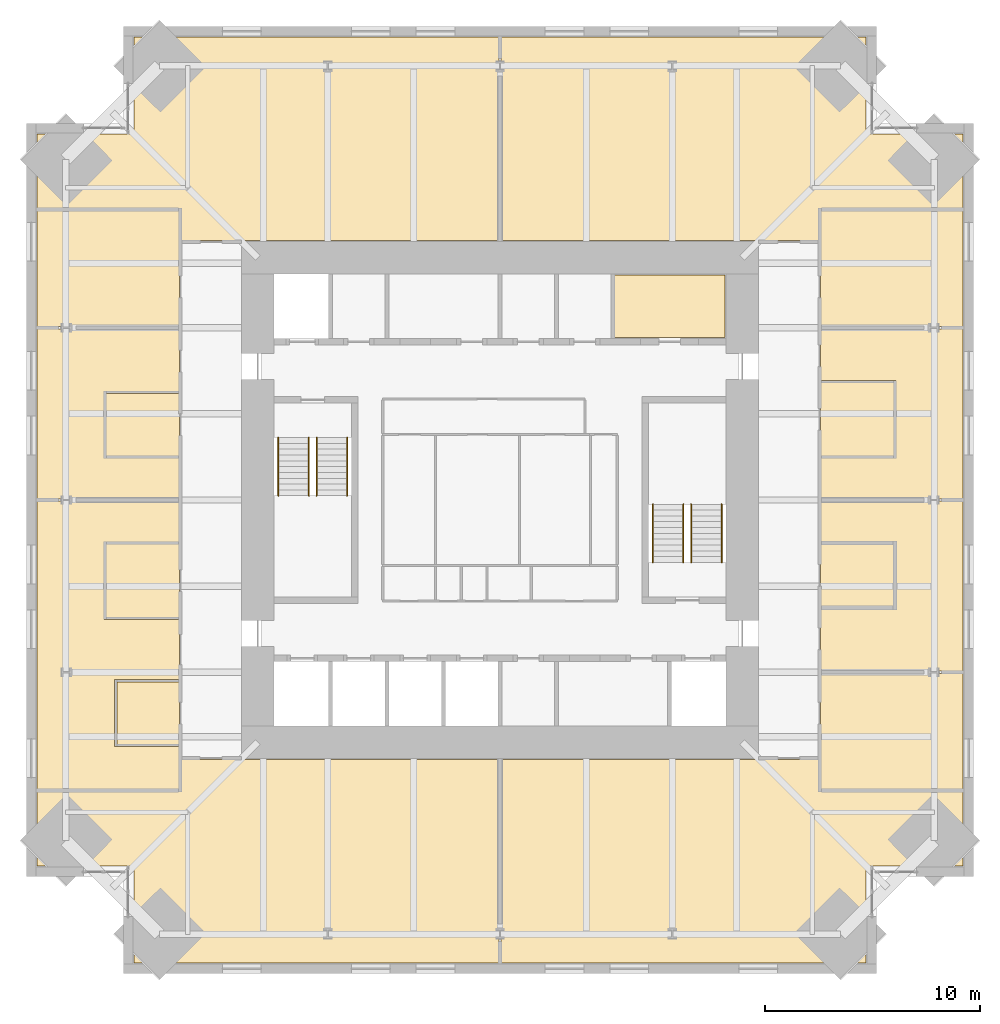
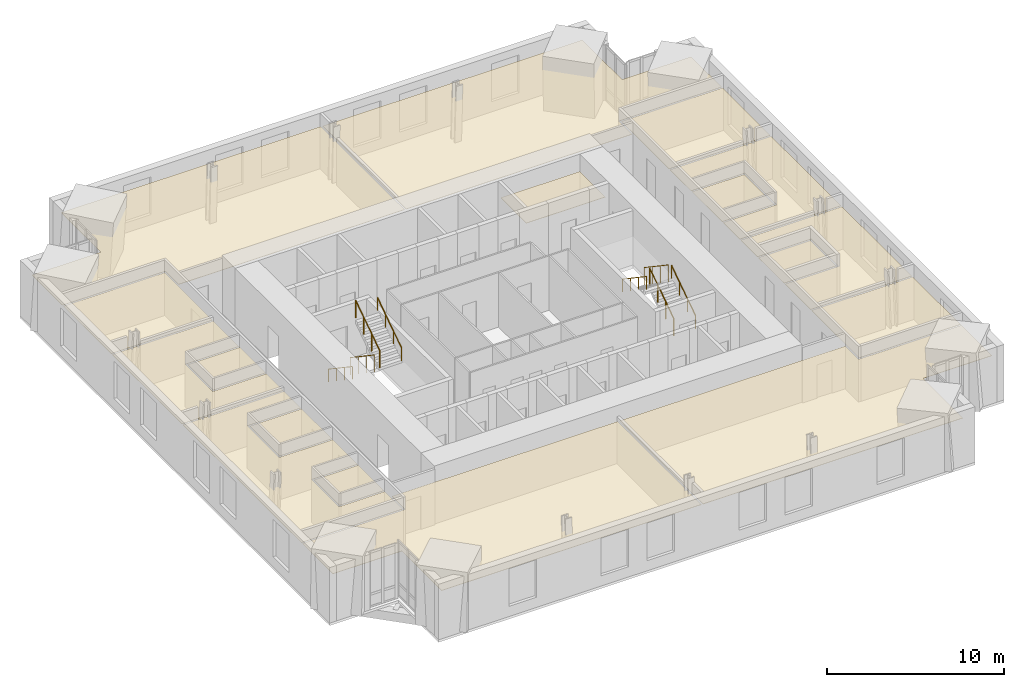
# One storey, part 16 of 16: 17 coverings, 8 railings.
"""IFC4 building model written with IfcOpenShell, lengths in metres."""

from ifc_helpers import new_model, si_unit, direction, frame, origin, origin_2d, place, context, subcontext, project, spatial, polyline, circle, outline, extrude, material, layer, layer_set, type_object, element, save


model = new_model("IFC4")

# Units and contexts
model_context = context("Model", 3, precision=1e-05, world=origin(), true_north=direction((0.0, 1.0)))
body_context = subcontext(model_context, "Body", "Model", "MODEL_VIEW")
ifc_project = project(units=[si_unit("LENGTHUNIT", "METRE"), si_unit("AREAUNIT", "SQUARE_METRE"), si_unit("VOLUMEUNIT", "CUBIC_METRE"), si_unit("PLANEANGLEUNIT", "RADIAN"), si_unit("MASSUNIT", "GRAM", prefix="KILO")], contexts=[model_context])

# Site, building, storey
site_placement = place(None, origin())
site = spatial("IfcSite", under=ifc_project, at=site_placement, CompositionType="ELEMENT")
building_placement = place(site_placement, origin())
building = spatial("IfcBuilding", under=site, at=building_placement, Name="Peilmerk Tower", CompositionType="ELEMENT")
storey_placement = place(building_placement, frame((0.0, 0.0, 265.800048828125)))
storey = spatial("IfcBuildingStorey", under=building, at=storey_placement, Name="L59", CompositionType="ELEMENT", Elevation=265.800048828125)

# Coverings
ifc_material_1 = material(Name="Mineral fibre ceiling tiles", Category="mineral")
ifc_layer = layer(ifc_material_1, 0.02490234375)
ifc_layer_set = layer_set([ifc_layer], Name="Mineral fibre ceiling tiles")
covering_type = type_object("IfcCoveringType", Name="CL1 25 suspended ceiling", PredefinedType="CEILING", material=ifc_layer_set)
covering_1_placement = place(storey_placement, frame((0.0, 0.0, 2.905029296875)))
element("IfcCovering", 1, at=covering_1_placement, inside=storey, type_object=covering_type, Name="Suspended ceiling Office", PredefinedType="CEILING", context=body_context, shape_type="SweptSolid", body=[
    extrude(outline(polyline([(-21.5, 17.0), (-21.5, 13.550048828125), (-14.800048828125, 13.550048828125), (-14.800048828125, 12.050048828125), (-0.050048828125, 12.050048828125), (-0.050048828125, 21.5), (-17.0, 21.5), (-17.0, 17.0), (-21.5, 17.0)])), origin(), (0.0, 0.0, 1.0), 0.02490234375),
])
covering_2_placement = place(storey_placement, frame((0.0, 0.0, 2.905029296875)))
element("IfcCovering", 2, at=covering_2_placement, inside=storey, type_object=covering_type, Name="Suspended ceiling Office", PredefinedType="CEILING", context=body_context, shape_type="SweptSolid", body=[
    extrude(outline(polyline([(17.0, 21.5), (0.050048828125, 21.5), (0.050048828125, 12.050048828125), (14.800048828125, 12.050048828125), (14.800048828125, 13.550048828125), (21.5, 13.550048828125), (21.5, 17.0), (17.0, 17.0), (17.0, 21.5)])), origin(), (0.0, 0.0, 1.0), 0.02490234375),
])
covering_3_placement = place(storey_placement, frame((0.0, 0.0, 2.905029296875)))
element("IfcCovering", 3, at=covering_3_placement, inside=storey, type_object=covering_type, Name="Suspended ceiling Office", PredefinedType="CEILING", context=body_context, shape_type="SweptSolid", body=[
    extrude(outline(polyline([(-17.0, -21.5), (-0.050048828125, -21.5), (-0.050048828125, -12.050048828125), (-14.800048828125, -12.050048828125), (-14.800048828125, -13.550048828125), (-21.5, -13.550048828125), (-21.5, -17.0), (-17.0, -17.0), (-17.0, -21.5)])), origin(), (0.0, 0.0, 1.0), 0.02490234375),
])
covering_4_placement = place(storey_placement, frame((0.0, 0.0, 2.905029296875)))
element("IfcCovering", 4, at=covering_4_placement, inside=storey, type_object=covering_type, Name="Suspended ceiling Office", PredefinedType="CEILING", context=body_context, shape_type="SweptSolid", body=[
    extrude(outline(polyline([(0.050048828125, -21.5), (17.0, -21.5), (17.0, -17.0), (21.5, -17.0), (21.5, -13.550048828125), (14.800048828125, -13.550048828125), (14.800048828125, -12.050048828125), (0.050048828125, -12.050048828125), (0.050048828125, -21.5)])), origin(), (0.0, 0.0, 1.0), 0.02490234375),
])
covering_5_placement = place(storey_placement, frame((0.0, 0.0, 2.905029296875)))
element("IfcCovering", 5, at=covering_5_placement, inside=storey, type_object=covering_type, Name="Suspended ceiling Office", PredefinedType="CEILING", context=body_context, shape_type="SweptSolid", body=[
    extrude(outline(polyline([(21.5, -13.449951171875), (21.5, -8.050048828125), (14.89990234375, -8.050048828125), (14.89990234375, -13.449951171875), (21.5, -13.449951171875)])), origin(), (0.0, 0.0, 1.0), 0.02490234375),
])
covering_6_placement = place(storey_placement, frame((0.0, 0.0, 2.905029296875)))
element("IfcCovering", 6, at=covering_6_placement, inside=storey, type_object=covering_type, Name="Suspended ceiling Office", PredefinedType="CEILING", context=body_context, shape_type="SweptSolid", body=[
    extrude(outline(polyline([(14.89990234375, -7.949951171875), (21.5, -7.949951171875), (21.5, -0.050048828125), (14.89990234375, -0.050048828125), (14.89990234375, -1.949951171875), (18.39990234375, -1.949951171875), (18.39990234375, -5.050048828125), (14.89990234375, -5.050048828125), (14.89990234375, -7.949951171875)])), origin(), (0.0, 0.0, 1.0), 0.02490234375),
])
covering_7_placement = place(storey_placement, frame((0.0, 0.0, 2.905029296875)))
element("IfcCovering", 7, at=covering_7_placement, inside=storey, type_object=covering_type, Name="Suspended ceiling Office", PredefinedType="CEILING", context=body_context, shape_type="SweptSolid", body=[
    extrude(outline(polyline([(14.89990234375, 0.050048828125), (21.5, 0.050048828125), (21.5, 7.949951171875), (14.89990234375, 7.949951171875), (14.89990234375, 5.550048828125), (18.39990234375, 5.550048828125), (18.39990234375, 1.949951171875), (14.89990234375, 1.949951171875), (14.89990234375, 0.050048828125)])), origin(), (0.0, 0.0, 1.0), 0.02490234375),
])
covering_8_placement = place(storey_placement, frame((0.0, 0.0, 2.905029296875)))
element("IfcCovering", 8, at=covering_8_placement, inside=storey, type_object=covering_type, Name="Suspended ceiling Office", PredefinedType="CEILING", context=body_context, shape_type="SweptSolid", body=[
    extrude(outline(polyline([(21.5, 8.050048828125), (21.5, 13.449951171875), (14.89990234375, 13.449951171875), (14.89990234375, 8.050048828125), (21.5, 8.050048828125)])), origin(), (0.0, 0.0, 1.0), 0.02490234375),
])
covering_9_placement = place(storey_placement, frame((0.0, 0.0, 2.905029296875)))
element("IfcCovering", 9, at=covering_9_placement, inside=storey, type_object=covering_type, Name="Suspended ceiling Meeting room", PredefinedType="CEILING", context=body_context, shape_type="SweptSolid", body=[
    extrude(outline(polyline([(18.300048828125, 2.050048828125), (18.300048828125, 5.449951171875), (14.89990234375, 5.449951171875), (14.89990234375, 2.050048828125), (18.300048828125, 2.050048828125)])), origin(), (0.0, 0.0, 1.0), 0.02490234375),
])
covering_10_placement = place(storey_placement, frame((0.0, 0.0, 2.905029296875)))
element("IfcCovering", 10, at=covering_10_placement, inside=storey, type_object=covering_type, Name="Suspended ceiling Wellness room", PredefinedType="CEILING", context=body_context, shape_type="SweptSolid", body=[
    extrude(outline(polyline([(18.300048828125, -4.949951171875), (18.300048828125, -2.050048828125), (14.89990234375, -2.050048828125), (14.89990234375, -4.949951171875), (18.300048828125, -4.949951171875)])), origin(), (0.0, 0.0, 1.0), 0.02490234375),
])
covering_11_placement = place(storey_placement, frame((0.0, 0.0, 2.905029296875)))
element("IfcCovering", 11, at=covering_11_placement, inside=storey, type_object=covering_type, Name="Suspended ceiling Library", PredefinedType="CEILING", context=body_context, shape_type="SweptSolid", body=[
    extrude(outline(polyline([(-14.89990234375, -0.050048828125), (-21.5, -0.050048828125), (-21.5, -13.449951171875), (-14.89990234375, -13.449951171875), (-14.89990234375, -11.449951171875), (-17.89990234375, -11.449951171875), (-17.89990234375, -8.35009765625), (-14.89990234375, -8.35009765625), (-14.89990234375, -5.550048828125), (-18.39990234375, -5.550048828125), (-18.39990234375, -1.949951171875), (-14.89990234375, -1.949951171875), (-14.89990234375, -0.050048828125)])), origin(), (0.0, 0.0, 1.0), 0.02490234375),
])
covering_12_placement = place(storey_placement, frame((0.0, 0.0, 2.905029296875)))
element("IfcCovering", 12, at=covering_12_placement, inside=storey, type_object=covering_type, Name="Suspended ceiling Office", PredefinedType="CEILING", context=body_context, shape_type="SweptSolid", body=[
    extrude(outline(polyline([(-14.89990234375, 7.949951171875), (-21.5, 7.949951171875), (-21.5, 0.050048828125), (-14.89990234375, 0.050048828125), (-14.89990234375, 1.949951171875), (-18.39990234375, 1.949951171875), (-18.39990234375, 5.050048828125), (-14.89990234375, 5.050048828125), (-14.89990234375, 7.949951171875)])), origin(), (0.0, 0.0, 1.0), 0.02490234375),
])
covering_13_placement = place(storey_placement, frame((0.0, 0.0, 2.905029296875)))
element("IfcCovering", 13, at=covering_13_placement, inside=storey, type_object=covering_type, Name="Suspended ceiling Office", PredefinedType="CEILING", context=body_context, shape_type="SweptSolid", body=[
    extrude(outline(polyline([(-21.5, 13.449951171875), (-21.5, 8.050048828125), (-14.89990234375, 8.050048828125), (-14.89990234375, 13.449951171875), (-21.5, 13.449951171875)])), origin(), (0.0, 0.0, 1.0), 0.02490234375),
])
covering_14_placement = place(storey_placement, frame((0.0, 0.0, 2.905029296875)))
element("IfcCovering", 14, at=covering_14_placement, inside=storey, type_object=covering_type, Name="Suspended ceiling Pantry", PredefinedType="CEILING", context=body_context, shape_type="SweptSolid", body=[
    extrude(outline(polyline([(-14.89990234375, 2.050048828125), (-14.89990234375, 4.949951171875), (-18.300048828125, 4.949951171875), (-18.300048828125, 2.050048828125), (-14.89990234375, 2.050048828125)])), origin(), (0.0, 0.0, 1.0), 0.02490234375),
])
covering_15_placement = place(storey_placement, frame((0.0, 0.0, 2.905029296875)))
element("IfcCovering", 15, at=covering_15_placement, inside=storey, type_object=covering_type, Name="Suspended ceiling Meeting room", PredefinedType="CEILING", context=body_context, shape_type="SweptSolid", body=[
    extrude(outline(polyline([(-14.89990234375, -5.449951171875), (-14.89990234375, -2.050048828125), (-18.300048828125, -2.050048828125), (-18.300048828125, -5.449951171875), (-14.89990234375, -5.449951171875)])), origin(), (0.0, 0.0, 1.0), 0.02490234375),
])
covering_16_placement = place(storey_placement, frame((0.0, 0.0, 2.905029296875)))
element("IfcCovering", 16, at=covering_16_placement, inside=storey, type_object=covering_type, Name="Suspended ceiling Quiet room", PredefinedType="CEILING", context=body_context, shape_type="SweptSolid", body=[
    extrude(outline(polyline([(-14.89990234375, -11.35009765625), (-14.89990234375, -8.449951171875), (-17.800048828125, -8.449951171875), (-17.800048828125, -11.35009765625), (-14.89990234375, -11.35009765625)])), origin(), (0.0, 0.0, 1.0), 0.02490234375),
])
covering_17_placement = place(storey_placement, frame((0.0, 0.0, 2.824951171875)))
element("IfcCovering", 17, at=covering_17_placement, inside=storey, type_object=covering_type, Name="Suspended ceiling Pantry", PredefinedType="CEILING", context=body_context, shape_type="SweptSolid", body=[
    extrude(outline(polyline([(10.448974609375, 7.551025390625), (10.448974609375, 10.448974609375), (5.301025390625, 10.448974609375), (5.301025390625, 7.551025390625), (10.448974609375, 7.551025390625)])), origin(), (0.0, 0.0, 1.0), 0.02490234375),
])

# Railings
ifc_material_2 = material(Name="Steel flat bar balustrade", Category="steel")
railing_type_1 = type_object("IfcRailingType", Name="GR1 1200 stair guard", PredefinedType="GUARDRAIL", material=ifc_material_2)
railing_1_placement = place(storey_placement, frame((-8.8798828125, 2.89990234375, 0.181884765625)))
element("IfcRailing", 18, at=railing_1_placement, inside=storey, type_object=railing_type_1, Name="Guard stair 1 L59", PredefinedType="GUARDRAIL", context=body_context, shape_type="SweptSolid", body=[
    extrude(circle(Radius=0.02392578125, at=origin_2d()), frame((0.0, 0.0, 1.17578125), z_axis=(0.0, -0.829468130872, 0.55855404382), x_axis=(1.0, 0.0, 0.0)), (0.0, 0.0, 1.0), 3.255126953125),
    extrude(circle(Radius=0.02099609375, at=origin_2d()), origin(), (0.0, 0.0, 1.0), 1.15185546875),
    extrude(circle(Radius=0.02099609375, at=origin_2d()), frame((0.0, -0.89990234375, 0.60595703125)), (0.0, 0.0, 1.0), 1.15185546875),
    extrude(circle(Radius=0.02099609375, at=origin_2d()), frame((0.0, -1.800048828125, 1.212158203125)), (0.0, 0.0, 1.0), 1.15185546875),
    extrude(circle(Radius=0.02099609375, at=origin_2d()), frame((0.0, -2.699951171875, 1.818115234375)), (0.0, 0.0, 1.0), 1.15185546875),
])
for number, where, name in (
    (19, (-8.52001953125, 0.199951171875, 2.181884765625), "Guard stair 1 L59"),
    (20, (8.8798828125, -2.89990234375, 0.181884765625), "Guard stair 2 L59"),
):
    element("IfcRailing", number, at=place(storey_placement, frame(where)), inside=storey, type_object=railing_type_1, Name=name, PredefinedType="GUARDRAIL", context=body_context, shape_type="SweptSolid", body=[
        extrude(circle(Radius=0.02392578125, at=origin_2d()), frame((0.0, 0.0, 1.17578125), z_axis=(0.0, 0.829468130872, 0.55855404382), x_axis=(-1.0, 0.0, 0.0)), (0.0, 0.0, 1.0), 3.255126953125),
        extrude(circle(Radius=0.02099609375, at=origin_2d()), origin(), (0.0, 0.0, 1.0), 1.15185546875),
        extrude(circle(Radius=0.02099609375, at=origin_2d()), frame((0.0, 0.89990234375, 0.60595703125)), (0.0, 0.0, 1.0), 1.15185546875),
        extrude(circle(Radius=0.02099609375, at=origin_2d()), frame((0.0, 1.800048828125, 1.212158203125)), (0.0, 0.0, 1.0), 1.15185546875),
        extrude(circle(Radius=0.02099609375, at=origin_2d()), frame((0.0, 2.699951171875, 1.818115234375)), (0.0, 0.0, 1.0), 1.15185546875),
    ])
railing_2_placement = place(storey_placement, frame((8.52001953125, -0.199951171875, 2.181884765625)))
element("IfcRailing", 21, at=railing_2_placement, inside=storey, type_object=railing_type_1, Name="Guard stair 2 L59", PredefinedType="GUARDRAIL", context=body_context, shape_type="SweptSolid", body=[
    extrude(circle(Radius=0.02392578125, at=origin_2d()), frame((0.0, 0.0, 1.17578125), z_axis=(0.0, -0.829468130872, 0.55855404382), x_axis=(1.0, 0.0, 0.0)), (0.0, 0.0, 1.0), 3.255126953125),
    extrude(circle(Radius=0.02099609375, at=origin_2d()), origin(), (0.0, 0.0, 1.0), 1.15185546875),
    extrude(circle(Radius=0.02099609375, at=origin_2d()), frame((0.0, -0.89990234375, 0.60595703125)), (0.0, 0.0, 1.0), 1.15185546875),
    extrude(circle(Radius=0.02099609375, at=origin_2d()), frame((0.0, -1.800048828125, 1.212158203125)), (0.0, 0.0, 1.0), 1.15185546875),
    extrude(circle(Radius=0.02099609375, at=origin_2d()), frame((0.0, -2.699951171875, 1.818115234375)), (0.0, 0.0, 1.0), 1.15185546875),
])
ifc_material_3 = material(Name="Stainless steel tube", Category="steel")
railing_type_2 = type_object("IfcRailingType", Name="HR1 900 stair handrail", PredefinedType="HANDRAIL", material=ifc_material_3)
railing_3_placement = place(storey_placement, frame((-10.300048828125, 2.89990234375, 0.181884765625)))
element("IfcRailing", 22, at=railing_3_placement, inside=storey, type_object=railing_type_2, Name="Handrail stair 1 L59", PredefinedType="HANDRAIL", context=body_context, shape_type="SweptSolid", body=[
    extrude(circle(Radius=0.02392578125, at=origin_2d()), frame((0.0, 0.0, 0.8759765625), z_axis=(0.0, -0.829468130872, 0.55855404382), x_axis=(1.0, 0.0, 0.0)), (0.0, 0.0, 1.0), 3.255126953125),
    extrude(circle(Radius=0.02099609375, at=origin_2d()), origin(), (0.0, 0.0, 1.0), 0.851806640625),
    extrude(circle(Radius=0.02099609375, at=origin_2d()), frame((0.0, -0.89990234375, 0.60595703125)), (0.0, 0.0, 1.0), 0.851806640625),
    extrude(circle(Radius=0.02099609375, at=origin_2d()), frame((0.0, -1.800048828125, 1.212158203125)), (0.0, 0.0, 1.0), 0.851806640625),
    extrude(circle(Radius=0.02099609375, at=origin_2d()), frame((0.0, -2.699951171875, 1.818115234375)), (0.0, 0.0, 1.0), 0.851806640625),
])
for number, where, name in (
    (23, (-7.10009765625, 0.199951171875, 2.181884765625), "Handrail stair 1 L59"),
    (24, (10.300048828125, -2.89990234375, 0.181884765625), "Handrail stair 2 L59"),
):
    element("IfcRailing", number, at=place(storey_placement, frame(where)), inside=storey, type_object=railing_type_2, Name=name, PredefinedType="HANDRAIL", context=body_context, shape_type="SweptSolid", body=[
        extrude(circle(Radius=0.02392578125, at=origin_2d()), frame((0.0, 0.0, 0.8759765625), z_axis=(0.0, 0.829468130872, 0.55855404382), x_axis=(-1.0, 0.0, 0.0)), (0.0, 0.0, 1.0), 3.255126953125),
        extrude(circle(Radius=0.02099609375, at=origin_2d()), origin(), (0.0, 0.0, 1.0), 0.851806640625),
        extrude(circle(Radius=0.02099609375, at=origin_2d()), frame((0.0, 0.89990234375, 0.60595703125)), (0.0, 0.0, 1.0), 0.851806640625),
        extrude(circle(Radius=0.02099609375, at=origin_2d()), frame((0.0, 1.800048828125, 1.212158203125)), (0.0, 0.0, 1.0), 0.851806640625),
        extrude(circle(Radius=0.02099609375, at=origin_2d()), frame((0.0, 2.699951171875, 1.818115234375)), (0.0, 0.0, 1.0), 0.851806640625),
    ])
railing_4_placement = place(storey_placement, frame((7.10009765625, -0.199951171875, 2.181884765625)))
element("IfcRailing", 25, at=railing_4_placement, inside=storey, type_object=railing_type_2, Name="Handrail stair 2 L59", PredefinedType="HANDRAIL", context=body_context, shape_type="SweptSolid", body=[
    extrude(circle(Radius=0.02392578125, at=origin_2d()), frame((0.0, 0.0, 0.8759765625), z_axis=(0.0, -0.829468130872, 0.55855404382), x_axis=(1.0, 0.0, 0.0)), (0.0, 0.0, 1.0), 3.255126953125),
    extrude(circle(Radius=0.02099609375, at=origin_2d()), origin(), (0.0, 0.0, 1.0), 0.851806640625),
    extrude(circle(Radius=0.02099609375, at=origin_2d()), frame((0.0, -0.89990234375, 0.60595703125)), (0.0, 0.0, 1.0), 0.851806640625),
    extrude(circle(Radius=0.02099609375, at=origin_2d()), frame((0.0, -1.800048828125, 1.212158203125)), (0.0, 0.0, 1.0), 0.851806640625),
    extrude(circle(Radius=0.02099609375, at=origin_2d()), frame((0.0, -2.699951171875, 1.818115234375)), (0.0, 0.0, 1.0), 0.851806640625),
])

save(model, "model.ifc")
